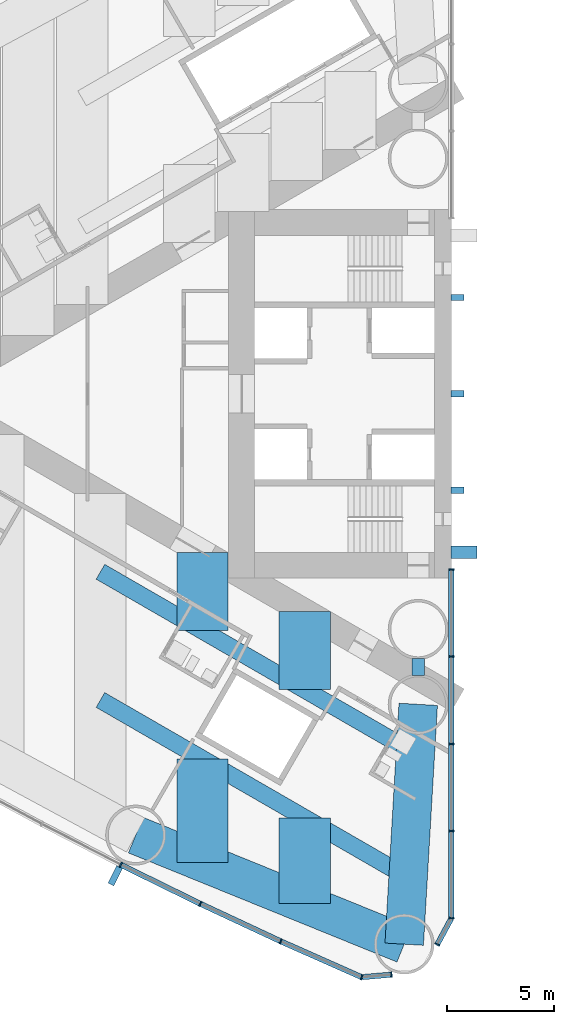
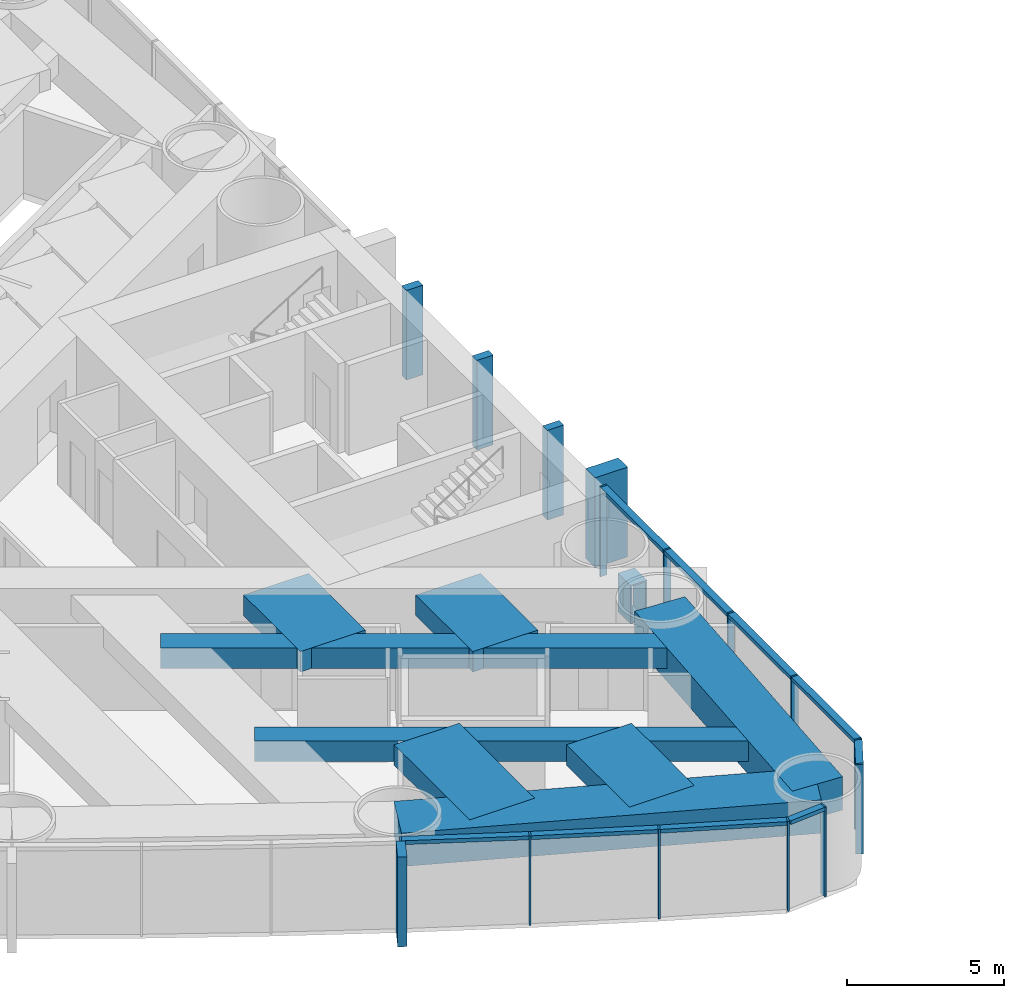
# One storey, part 3 of 19: 25 members, 9 beams, 2 elements without a shape of their own.
"""IFC4 building model written with IfcOpenShell, lengths in metres."""

from ifc_helpers import new_model, si_unit, direction, frame, origin, origin_2d, place, context, subcontext, project, spatial, rectangle, hollow_rectangle, extrude, material, material_profile, profile_set, type_object, element, aggregate, save


model = new_model("IFC4")

# Units and contexts
model_context = context("Model", 3, precision=1e-05, world=origin(), true_north=direction((0.0, 1.0)))
body_context = subcontext(model_context, "Body", "Model", "MODEL_VIEW")
ifc_project = project(units=[si_unit("LENGTHUNIT", "METRE"), si_unit("AREAUNIT", "SQUARE_METRE"), si_unit("VOLUMEUNIT", "CUBIC_METRE"), si_unit("PLANEANGLEUNIT", "RADIAN"), si_unit("MASSUNIT", "GRAM", prefix="KILO")], contexts=[model_context])

# Site, building, storey
site_placement = place(None, origin())
site = spatial("IfcSite", under=ifc_project, at=site_placement, CompositionType="ELEMENT")
building_placement = place(site_placement, origin())
building = spatial("IfcBuilding", under=site, at=building_placement, Name="Lancet Gate Hotel", CompositionType="ELEMENT")
storey_placement = place(building_placement, frame((0.0, 0.0, 60.0)))
storey = spatial("IfcBuildingStorey", under=building, at=storey_placement, Name="L15", CompositionType="ELEMENT", Elevation=60.0)

# Curtain wall, members
ifc_material_1 = material(Name="Aluminium curtain wall", Category="aluminium")
curtain_wall_type = type_object("IfcCurtainWallType", Name="Tower unitised curtain wall", PredefinedType="USERDEFINED", material=ifc_material_1)
curtain_wall_1_placement = place(storey_placement, origin())
curtain_wall_1 = element("IfcCurtainWall", 1, at=curtain_wall_1_placement, inside=storey, type_object=curtain_wall_type, Name="T1 L15 curtain wall 3", ObjectType="UNITISED CURTAIN WALL", PredefinedType="USERDEFINED")
ifc_material_2 = material(Name="Aluminium mullion", Category="aluminium")
ifc_material_profile_1 = material_profile(ifc_material_2, rectangle(XDim=0.06494140625, YDim=0.25, at=origin_2d()), Name="MULLION 65x250")
ifc_profile_set_1 = profile_set([ifc_material_profile_1], Name="Aluminium mullion")
member_type_1 = type_object("IfcMemberType", Name="Aluminium mullion 65x250", PredefinedType="MULLION", material=ifc_profile_set_1)
member_1_placement = place(storey_placement, frame((-42.94189453125, -21.991943359375, 0.0), z_axis=(0.0, 0.0, 1.0), x_axis=(0.893291549794, -0.449477704748, 0.0)))
member_1 = element("IfcMember", 2, at=member_1_placement, type_object=member_type_1, Name="T1 L15 curtain wall 3 mullion 11", PredefinedType="MULLION", context=body_context, shape_type="SweptSolid", body=[
    extrude(rectangle(XDim=0.06494140625, YDim=0.25, at=origin_2d()), origin(), (0.0, 0.0, 1.0), 3.5),
])
member_2_placement = place(storey_placement, frame((-39.225341796875, -23.816650390625, 0.0), z_axis=(0.0, 0.0, 1.0), x_axis=(0.901928838337, -0.431884672772, 0.0)))
member_2 = element("IfcMember", 3, at=member_2_placement, type_object=member_type_1, Name="T1 L15 curtain wall 3 mullion 12", PredefinedType="MULLION", context=body_context, shape_type="SweptSolid", body=[
    extrude(rectangle(XDim=0.06494140625, YDim=0.25, at=origin_2d()), origin(), (0.0, 0.0, 1.0), 3.5),
])
member_3_placement = place(storey_placement, frame((-35.473876953125, -25.568115234375, 0.0), z_axis=(0.0, 0.0, 1.0), x_axis=(0.910219680212, -0.414125746308, 0.0)))
member_3 = element("IfcMember", 4, at=member_3_placement, type_object=member_type_1, Name="T1 L15 curtain wall 3 mullion 13", PredefinedType="MULLION", context=body_context, shape_type="SweptSolid", body=[
    extrude(rectangle(XDim=0.06494140625, YDim=0.25, at=origin_2d()), origin(), (0.0, 0.0, 1.0), 3.5),
])
member_4_placement = place(storey_placement, frame((-31.688720703125, -27.24560546875, 0.0), z_axis=(0.0, 0.0, 1.0), x_axis=(0.957524354695, -0.288352406209, 0.0)))
member_4 = element("IfcMember", 5, at=member_4_placement, type_object=member_type_1, Name="T1 L15 curtain wall 3 mullion 14", PredefinedType="MULLION", context=body_context, shape_type="SweptSolid", body=[
    extrude(rectangle(XDim=0.06494140625, YDim=0.25, at=origin_2d()), origin(), (0.0, 0.0, 1.0), 3.5),
])
member_5_placement = place(storey_placement, frame((-30.3046875, -27.124755859375, 0.0), z_axis=(0.0, 0.0, 1.0), x_axis=(0.99620380374, 0.087051602022, 0.0)))
member_5 = element("IfcMember", 6, at=member_5_placement, type_object=member_type_1, Name="T1 L15 curtain wall 3 mullion 15", PredefinedType="MULLION", context=body_context, shape_type="SweptSolid", body=[
    extrude(rectangle(XDim=0.06494140625, YDim=0.25, at=origin_2d()), origin(), (0.0, 0.0, 1.0), 3.5),
])

curtain_wall_2_placement = place(storey_placement, origin())
curtain_wall_2 = element("IfcCurtainWall", 7, at=curtain_wall_2_placement, inside=storey, type_object=curtain_wall_type, Name="T1 L15 curtain wall 4", ObjectType="UNITISED CURTAIN WALL", PredefinedType="USERDEFINED")
member_6_placement = place(storey_placement, frame((-28.158935546875, -25.712890625, 0.0), z_axis=(0.0, 0.0, 1.0), x_axis=(0.474631040972, 0.880184852714, 0.0)))
member_6 = element("IfcMember", 8, at=member_6_placement, type_object=member_type_1, Name="T1 L15 curtain wall 4 mullion 1", PredefinedType="MULLION", context=body_context, shape_type="SweptSolid", body=[
    extrude(rectangle(XDim=0.06494140625, YDim=0.25, at=origin_2d()), origin(), (0.0, 0.0, 1.0), 3.5),
])
member_7_placement = place(storey_placement, frame((-27.5, -24.4912109375, 0.0), z_axis=(0.0, 0.0, 1.0), x_axis=(0.123482502544, 0.992346749662, 0.0)))
member_7 = element("IfcMember", 9, at=member_7_placement, type_object=member_type_1, Name="T1 L15 curtain wall 4 mullion 2", PredefinedType="MULLION", context=body_context, shape_type="SweptSolid", body=[
    extrude(rectangle(XDim=0.06494140625, YDim=0.25, at=origin_2d()), origin(), (0.0, 0.0, 1.0), 3.5),
])
member_8_placement = place(storey_placement, frame((-27.5, -20.41845703125, 0.0), z_axis=(0.0, 0.0, 1.0), x_axis=(0.0, 1.0, 0.0)))
member_8 = element("IfcMember", 10, at=member_8_placement, type_object=member_type_1, Name="T1 L15 curtain wall 4 mullion 3", PredefinedType="MULLION", context=body_context, shape_type="SweptSolid", body=[
    extrude(rectangle(XDim=0.06494140625, YDim=0.25, at=origin_2d()), origin(), (0.0, 0.0, 1.0), 3.5),
])
member_9_placement = place(storey_placement, frame((-27.5, -16.345703125, 0.0), z_axis=(0.0, 0.0, 1.0), x_axis=(0.0, 1.0, 0.0)))
member_9 = element("IfcMember", 11, at=member_9_placement, type_object=member_type_1, Name="T1 L15 curtain wall 4 mullion 4", PredefinedType="MULLION", context=body_context, shape_type="SweptSolid", body=[
    extrude(rectangle(XDim=0.06494140625, YDim=0.25, at=origin_2d()), origin(), (0.0, 0.0, 1.0), 3.5),
])
member_10_placement = place(storey_placement, frame((-27.5, -12.272705078125, 0.0), z_axis=(0.0, 0.0, 1.0), x_axis=(0.0, 1.0, 0.0)))
member_10 = element("IfcMember", 12, at=member_10_placement, type_object=member_type_1, Name="T1 L15 curtain wall 4 mullion 5", PredefinedType="MULLION", context=body_context, shape_type="SweptSolid", body=[
    extrude(rectangle(XDim=0.06494140625, YDim=0.25, at=origin_2d()), origin(), (0.0, 0.0, 1.0), 3.5),
])
member_11_placement = place(storey_placement, frame((-27.5, -8.199951171875, 0.0), z_axis=(0.0, 0.0, 1.0), x_axis=(0.0, 1.0, 0.0)))
member_11 = element("IfcMember", 13, at=member_11_placement, type_object=member_type_1, Name="T1 L15 curtain wall 4 mullion 6", PredefinedType="MULLION", context=body_context, shape_type="SweptSolid", body=[
    extrude(rectangle(XDim=0.06494140625, YDim=0.25, at=origin_2d()), origin(), (0.0, 0.0, 1.0), 3.5),
])

# Member
ifc_material_3 = material(Name="Aluminium transom", Category="aluminium")
ifc_material_profile_2 = material_profile(ifc_material_3, rectangle(XDim=0.25, YDim=0.14990234375, at=origin_2d()), Name="TRANSOM 250x150")
ifc_profile_set_2 = profile_set([ifc_material_profile_2], Name="Aluminium transom")
member_type_2 = type_object("IfcMemberType", Name="Aluminium transom 250x150", PredefinedType="USERDEFINED", material=ifc_profile_set_2)
member_12_placement = place(storey_placement, frame((-42.912841796875, -22.00634765625, 3.425048828125), z_axis=(0.897662439958, -0.440683723194, 0.0), x_axis=(0.440683723194, 0.897662439958, 0.0)))
member_12 = element("IfcMember", 14, at=member_12_placement, type_object=member_type_2, Name="T1 L15 curtain wall 3 transom 11", ObjectType="TRANSOM", PredefinedType="USERDEFINED", context=body_context, shape_type="SweptSolid", body=[
    extrude(rectangle(XDim=0.25, YDim=0.14990234375, at=origin_2d()), origin(), (0.0, 0.0, 1.0), 4.0751953125),
])

member_13_placement = place(storey_placement, frame((-39.196044921875, -23.830322265625, 3.425048828125), z_axis=(0.906109667261, -0.423042871228, 0.0), x_axis=(0.423042871228, 0.906109667261, 0.0)))
member_13 = element("IfcMember", 15, at=member_13_placement, type_object=member_type_2, Name="T1 L15 curtain wall 3 transom 12", ObjectType="TRANSOM", PredefinedType="USERDEFINED", context=body_context, shape_type="SweptSolid", body=[
    extrude(rectangle(XDim=0.25, YDim=0.14990234375, at=origin_2d()), origin(), (0.0, 0.0, 1.0), 4.075439453125),
])

member_14_placement = place(storey_placement, frame((-35.444091796875, -25.581298828125, 3.425048828125), z_axis=(0.914248281954, -0.405154389022, 0.0), x_axis=(0.405154389022, 0.914248281954, 0.0)))
member_14 = element("IfcMember", 16, at=member_14_placement, type_object=member_type_2, Name="T1 L15 curtain wall 3 transom 13", ObjectType="TRANSOM", PredefinedType="USERDEFINED", context=body_context, shape_type="SweptSolid", body=[
    extrude(rectangle(XDim=0.25, YDim=0.14990234375, at=origin_2d()), origin(), (0.0, 0.0, 1.0), 4.0751953125),
])

member_15_placement = place(storey_placement, frame((-31.65625, -27.242919921875, 3.425048828125), z_axis=(0.99620591587, 0.087027427779, 0.0), x_axis=(-0.087027427779, 0.99620591587, 0.0)))
member_15 = element("IfcMember", 17, at=member_15_placement, type_object=member_type_2, Name="T1 L15 curtain wall 3 transom 14", ObjectType="TRANSOM", PredefinedType="USERDEFINED", context=body_context, shape_type="SweptSolid", body=[
    extrude(rectangle(XDim=0.25, YDim=0.14990234375, at=origin_2d()), origin(), (0.0, 0.0, 1.0), 1.32421875),
])

member_16_placement = place(storey_placement, frame((-28.143310546875, -25.684326171875, 3.425048828125), z_axis=(0.474605926905, 0.880198394765, 0.0), x_axis=(-0.880198394765, 0.474605926905, 0.0)))
member_16 = element("IfcMember", 18, at=member_16_placement, type_object=member_type_2, Name="T1 L15 curtain wall 4 transom 1", ObjectType="TRANSOM", PredefinedType="USERDEFINED", context=body_context, shape_type="SweptSolid", body=[
    extrude(rectangle(XDim=0.25, YDim=0.14990234375, at=origin_2d()), origin(), (0.0, 0.0, 1.0), 1.322998046875),
])

member_17_placement = place(storey_placement, frame((-27.5, -24.458740234375, 3.425048828125), z_axis=(0.0, 1.0, 0.0), x_axis=(-1.0, 0.0, 0.0)))
member_17 = element("IfcMember", 19, at=member_17_placement, type_object=member_type_2, Name="T1 L15 curtain wall 4 transom 2", ObjectType="TRANSOM", PredefinedType="USERDEFINED", context=body_context, shape_type="SweptSolid", body=[
    extrude(rectangle(XDim=0.25, YDim=0.14990234375, at=origin_2d()), origin(), (0.0, 0.0, 1.0), 4.0078125),
])

member_18_placement = place(storey_placement, frame((-27.5, -20.385986328125, 3.425048828125), z_axis=(0.0, 1.0, 0.0), x_axis=(-1.0, 0.0, 0.0)))
member_18 = element("IfcMember", 20, at=member_18_placement, type_object=member_type_2, Name="T1 L15 curtain wall 4 transom 3", ObjectType="TRANSOM", PredefinedType="USERDEFINED", context=body_context, shape_type="SweptSolid", body=[
    extrude(rectangle(XDim=0.25, YDim=0.14990234375, at=origin_2d()), origin(), (0.0, 0.0, 1.0), 4.0078125),
])

member_19_placement = place(storey_placement, frame((-27.5, -16.31298828125, 3.425048828125), z_axis=(0.0, 1.0, 0.0), x_axis=(-1.0, 0.0, 0.0)))
member_19 = element("IfcMember", 21, at=member_19_placement, type_object=member_type_2, Name="T1 L15 curtain wall 4 transom 4", ObjectType="TRANSOM", PredefinedType="USERDEFINED", context=body_context, shape_type="SweptSolid", body=[
    extrude(rectangle(XDim=0.25, YDim=0.14990234375, at=origin_2d()), origin(), (0.0, 0.0, 1.0), 4.0078125),
])

member_20_placement = place(storey_placement, frame((-27.5, -12.240234375, 3.425048828125), z_axis=(0.0, 1.0, 0.0), x_axis=(-1.0, 0.0, 0.0)))
member_20 = element("IfcMember", 22, at=member_20_placement, type_object=member_type_2, Name="T1 L15 curtain wall 4 transom 5", ObjectType="TRANSOM", PredefinedType="USERDEFINED", context=body_context, shape_type="SweptSolid", body=[
    extrude(rectangle(XDim=0.25, YDim=0.14990234375, at=origin_2d()), origin(), (0.0, 0.0, 1.0), 4.0078125),
])

aggregate(curtain_wall_2, [member_6, member_7, member_8, member_9, member_10, member_11, member_16, member_17, member_18, member_19, member_20])

# Beams
ifc_material_4 = material(Name="Concrete C50/60", Category="concrete")
ifc_material_profile_3 = material_profile(ifc_material_4, rectangle(XDim=1.800048828125, YDim=1.300048828125, at=origin_2d()), Name="RC 1800x1300")
ifc_profile_set_3 = profile_set([ifc_material_profile_3], Name="Concrete C50/60")
beam_type_1 = type_object("IfcBeamType", Name="Edge beam RC 1800x1300", PredefinedType="SPANDREL", material=ifc_profile_set_3)
beam_1_placement = place(storey_placement, frame((-42.2451171875, -20.607421875, 2.60009765625), z_axis=(0.926463236197, -0.376385270667, 0.0), x_axis=(0.376385270667, 0.926463236197, 0.0)))
element("IfcBeam", 23, at=beam_1_placement, inside=storey, type_object=beam_type_1, Name="T1 edge beam EB1 L15", PredefinedType="SPANDREL", context=body_context, shape_type="SweptSolid", body=[
    extrude(rectangle(XDim=1.800048828125, YDim=1.300048828125, at=origin_2d()), origin(), (0.0, 0.0, 1.0), 13.537353515625),
])
beam_2_placement = place(storey_placement, frame((-29.050048828125, -14.5, 2.60009765625), z_axis=(-0.058219521912, -0.998303805096, 0.0), x_axis=(0.998303805096, -0.058219521912, 0.0)))
element("IfcBeam", 24, at=beam_2_placement, inside=storey, type_object=beam_type_1, Name="T1 edge beam EB1 L15", PredefinedType="SPANDREL", context=body_context, shape_type="SweptSolid", body=[
    extrude(rectangle(XDim=1.800048828125, YDim=1.300048828125, at=origin_2d()), origin(), (0.0, 0.0, 1.0), 11.2216796875),
])

# Member
ifc_material_5 = material(Name="Concrete C60/75", Category="concrete")
ifc_material_profile_4 = material_profile(ifc_material_5, rectangle(XDim=0.60009765625, YDim=1.199951171875, at=origin_2d()), Name="FIN 600x1200")
ifc_profile_set_4 = profile_set([ifc_material_profile_4], Name="Concrete C60/75")
member_type_3 = type_object("IfcMemberType", Name="Exposed concrete buttress pilaster 600x1200", PredefinedType="USERDEFINED", material=ifc_profile_set_4)
member_21_placement = place(storey_placement, frame((-26.909912109375, -7.39990234375, 0.0), z_axis=(0.0, 0.0, 1.0), x_axis=(0.0, 1.0, 0.0)))
element("IfcMember", 25, at=member_21_placement, inside=storey, type_object=member_type_3, Name="T1 buttress pilaster N L15", ObjectType="FIN", PredefinedType="USERDEFINED", context=body_context, shape_type="SweptSolid", body=[
    extrude(rectangle(XDim=0.60009765625, YDim=1.199951171875, at=origin_2d()), origin(), (0.0, 0.0, 1.0), 3.5),
])

ifc_material_6 = material(Name="Precast concrete C50/60", Category="concrete")
ifc_material_profile_5 = material_profile(ifc_material_6, rectangle(XDim=0.300048828125, YDim=0.89990234375, at=origin_2d()), Name="FIN 300x900")
ifc_profile_set_5 = profile_set([ifc_material_profile_5], Name="Precast concrete C50/60")
member_type_4 = type_object("IfcMemberType", Name="Exposed concrete fin 300x900", PredefinedType="USERDEFINED", material=ifc_profile_set_5)
member_22_placement = place(storey_placement, frame((-43.200439453125, -22.505615234375, 0.0), z_axis=(0.0, 0.0, 1.0), x_axis=(0.893291549794, -0.449477704748, 0.0)))
member_22 = element("IfcMember", 26, at=member_22_placement, type_object=member_type_4, Name="T1 L15 curtain wall 3 fin 11", ObjectType="FIN", PredefinedType="USERDEFINED", context=body_context, shape_type="SweptSolid", body=[
    extrude(rectangle(XDim=0.300048828125, YDim=0.89990234375, at=origin_2d()), origin(), (0.0, 0.0, 1.0), 3.5),
])

aggregate(curtain_wall_1, [member_1, member_22, member_2, member_3, member_4, member_5, member_12, member_13, member_14, member_15])

# Members
ifc_material_7 = material(Name="Concrete C60/75", Category="concrete")
ifc_material_profile_6 = material_profile(ifc_material_7, rectangle(XDim=0.300048828125, YDim=0.60009765625, at=origin_2d()), Name="FIN 300x600")
ifc_profile_set_6 = profile_set([ifc_material_profile_6], Name="Concrete C60/75")
member_type_5 = type_object("IfcMemberType", Name="Exposed concrete rib 300x600", PredefinedType="USERDEFINED", material=ifc_profile_set_6)
for number, where, z_axis, x_axis, name in (
    (27, (-27.2099609375, 4.5, 0.0), (0.0, 0.0, 1.0), (0.0, 1.0, 0.0), "T1 core rib 1 L15"),
    (28, (-27.2099609375, 0.0, 0.0), (0.0, 0.0, 1.0), (0.0, 1.0, 0.0), "T1 core rib 2 L15"),
    (29, (-27.2099609375, -4.5, 0.0), (0.0, 0.0, 1.0), (0.0, 1.0, 0.0), "T1 core rib 3 L15"),
):
    element("IfcMember", number, at=place(storey_placement, frame(where, z_axis=z_axis, x_axis=x_axis)), inside=storey, type_object=member_type_5, Name=name, ObjectType="FIN", PredefinedType="USERDEFINED", context=body_context, shape_type="SweptSolid", body=[
        extrude(rectangle(XDim=0.300048828125, YDim=0.60009765625, at=origin_2d()), origin(), (0.0, 0.0, 1.0), 3.5),
    ])

# Beams
ifc_material_8 = material(Name="Concrete C50/60", Category="concrete")
ifc_material_profile_7 = material_profile(ifc_material_8, rectangle(XDim=2.39990234375, YDim=0.800048828125, at=origin_2d()), Name="RC 2400x800")
ifc_profile_set_7 = profile_set([ifc_material_profile_7], Name="Concrete C50/60")
beam_type_2 = type_object("IfcBeamType", Name="Floor beam RC 2400x800", PredefinedType="BEAM", material=ifc_profile_set_7)
beam_3_placement = place(storey_placement, frame((-34.353515625, -10.169921875, 2.85009765625), z_axis=(0.0, -1.0, 0.0), x_axis=(1.0, 0.0, 0.0)))
element("IfcBeam", 30, at=beam_3_placement, inside=storey, type_object=beam_type_2, Name="T1 floor beam F03NA L15", PredefinedType="BEAM", context=body_context, shape_type="SweptSolid", body=[
    extrude(rectangle(XDim=2.39990234375, YDim=0.800048828125, at=origin_2d()), origin(), (0.0, 0.0, 1.0), 3.645751953125),
])
beam_4_placement = place(storey_placement, frame((-34.353515625, -19.802978515625, 2.85009765625), z_axis=(0.0, -1.0, 0.0), x_axis=(1.0, 0.0, 0.0)))
element("IfcBeam", 31, at=beam_4_placement, inside=storey, type_object=beam_type_2, Name="T1 floor beam F03NB L15", PredefinedType="BEAM", context=body_context, shape_type="SweptSolid", body=[
    extrude(rectangle(XDim=2.39990234375, YDim=0.800048828125, at=origin_2d()), origin(), (0.0, 0.0, 1.0), 4.010498046875),
])
beam_5_placement = place(storey_placement, frame((-39.122314453125, -7.41650390625, 2.85009765625), z_axis=(0.0, -1.0, 0.0), x_axis=(1.0, 0.0, 0.0)))
element("IfcBeam", 32, at=beam_5_placement, inside=storey, type_object=beam_type_2, Name="T1 floor beam F06NA L15", PredefinedType="BEAM", context=body_context, shape_type="SweptSolid", body=[
    extrude(rectangle(XDim=2.39990234375, YDim=0.800048828125, at=origin_2d()), origin(), (0.0, 0.0, 1.0), 3.64599609375),
])
beam_6_placement = place(storey_placement, frame((-39.122314453125, -17.0498046875, 2.85009765625), z_axis=(0.0, -1.0, 0.0), x_axis=(1.0, 0.0, 0.0)))
element("IfcBeam", 33, at=beam_6_placement, inside=storey, type_object=beam_type_2, Name="T1 floor beam F06NB L15", PredefinedType="BEAM", context=body_context, shape_type="SweptSolid", body=[
    extrude(rectangle(XDim=2.39990234375, YDim=0.800048828125, at=origin_2d()), origin(), (0.0, 0.0, 1.0), 4.826416015625),
])
ifc_material_9 = material(Name="Steel S460QL", Category="steel")
ifc_material_profile_8 = material_profile(ifc_material_9, hollow_rectangle(XDim=0.60009765625, YDim=1.5, WallThickness=0.050048828125, at=origin_2d()), Name="BOX 1500x600x50")
ifc_profile_set_8 = profile_set([ifc_material_profile_8], Name="Steel S460QL")
beam_type_3 = type_object("IfcBeamType", Name="Inner-face link beam BOX 1500x600x50", PredefinedType="BEAM", material=ifc_profile_set_8)
beam_7_placement = place(storey_placement, frame((-29.050048828125, -12.35009765625, 2.5), z_axis=(0.0, -1.0, 0.0), x_axis=(1.0, 0.0, 0.0)))
element("IfcBeam", 34, at=beam_7_placement, inside=storey, type_object=beam_type_3, Name="T1 inner-face link beam LK1 L15", PredefinedType="BEAM", context=body_context, shape_type="SweptSolid", body=[
    extrude(hollow_rectangle(XDim=0.60009765625, YDim=1.5, WallThickness=0.050048828125, at=origin_2d()), origin(), (0.0, 0.0, 1.0), 0.7998046875),
])
ifc_material_10 = material(Name="Steel S460QL", Category="steel")
ifc_material_profile_9 = material_profile(ifc_material_10, hollow_rectangle(XDim=0.800048828125, YDim=0.800048828125, WallThickness=0.080078125, at=origin_2d()), Name="BOX 800x800x80")
ifc_profile_set_9 = profile_set([ifc_material_profile_9], Name="Steel S460QL")
beam_type_4 = type_object("IfcBeamType", Name="Trimmer beam BOX 800x800x80", PredefinedType="BEAM", material=ifc_profile_set_9)
for number, where, z_axis, x_axis, name in (
    (35, (-29.58447265625, -22.55615234375, 2.85009765625), (-0.866040141834, 0.49997447208, 0.0), (-0.49997447208, -0.866040141834, 0.0), "T1 trimmer beam TR03N L15"),
    (36, (-29.58447265625, -16.56884765625, 2.85009765625), (-0.866040141834, 0.49997447208, 0.0), (-0.49997447208, -0.866040141834, 0.0), "T1 trimmer beam TR04N L15"),
):
    element("IfcBeam", number, at=place(storey_placement, frame(where, z_axis=z_axis, x_axis=x_axis)), inside=storey, type_object=beam_type_4, Name=name, PredefinedType="BEAM", context=body_context, shape_type="SweptSolid", body=[
        extrude(hollow_rectangle(XDim=0.800048828125, YDim=0.800048828125, WallThickness=0.080078125, at=origin_2d()), origin(), (0.0, 0.0, 1.0), 16.519775390625),
    ])

save(model, "model.ifc")
